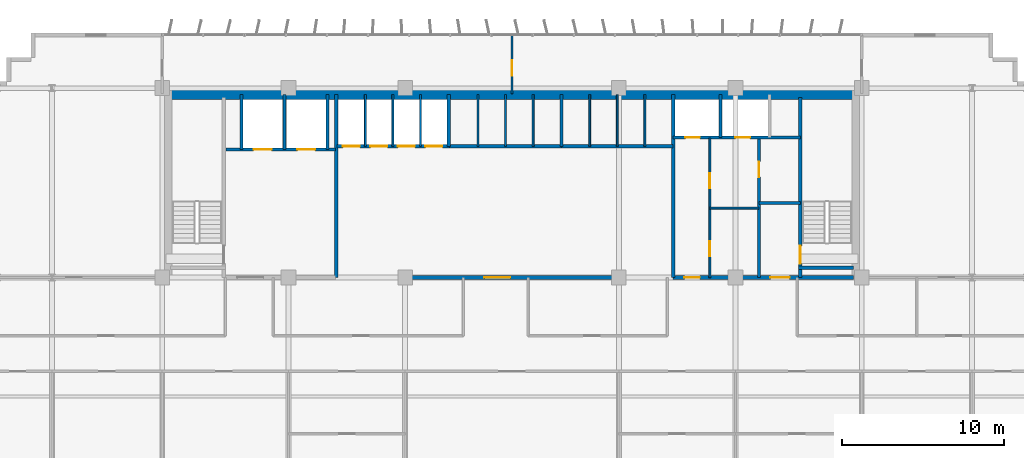
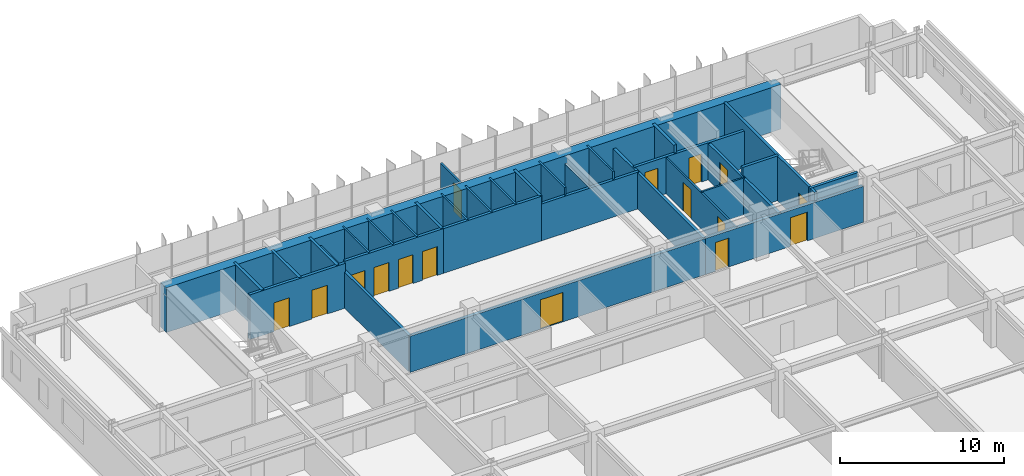
# One storey, part 17 of 21: 32 walls, 16 doors, 16 openings.
"""IFC4 building model written with IfcOpenShell, lengths in metres."""

from ifc_helpers import new_model, si_unit, direction, frame, frame_2d, origin, place, context, subcontext, project, spatial, rectangle, extrude, source, transform, mapped, material, layer, layer_set, type_object, element, fill, save


model = new_model("IFC4")

# Units and contexts
model_context = context("Model", 3, precision=1e-05, world=origin(), true_north=direction((0.0, 1.0)))
body_context = subcontext(model_context, "Body", "Model", "MODEL_VIEW")
ifc_project = project(units=[si_unit("LENGTHUNIT", "METRE"), si_unit("AREAUNIT", "SQUARE_METRE"), si_unit("VOLUMEUNIT", "CUBIC_METRE"), si_unit("PLANEANGLEUNIT", "RADIAN"), si_unit("MASSUNIT", "GRAM", prefix="KILO")], contexts=[model_context])

# Site, building, storey
site_placement = place(None, origin())
site = spatial("IfcSite", under=ifc_project, at=site_placement, CompositionType="ELEMENT")
building_placement = place(site_placement, origin())
building = spatial("IfcBuilding", under=site, at=building_placement, Name="Trelvane Seafront Commons", CompositionType="ELEMENT")
storey_placement = place(building_placement, frame((0.0, 0.0, 41.5)))
storey = spatial("IfcBuildingStorey", under=building, at=storey_placement, Name="L10", CompositionType="ELEMENT", Elevation=41.5)

# Wall, opening, door
ifc_material_1 = material(Name="Concrete C40/50", Category="concrete")
ifc_layer_1 = layer(ifc_material_1, 0.199951171875, Name="ARCH-WALL-FIRE200")
ifc_layer_set_1 = layer_set([ifc_layer_1], Name="Concrete C40/50")
wall_type_1 = type_object("IfcWallType", Name="ARCH-WALL-FIRE200", PredefinedType="PARTITIONING", material=ifc_layer_set_1)
wall_1_placement = place(storey_placement, frame((52.449951171875, 33.39990234375, 0.0), z_axis=(0.0, 0.0, 1.0), x_axis=(0.0, 1.0, 0.0)))
wall_1 = element("IfcWall", 1, at=wall_1_placement, inside=storey, type_object=wall_type_1, Name="W-L10-ST2V-W-033", PredefinedType="PARTITIONING", context=body_context, shape_type="SweptSolid", body=[
    extrude(rectangle(XDim=8.650146484375, YDim=0.199951171875, at=frame_2d((4.3251953125, 0.0))), origin(), (0.0, 0.0, 1.0), 2.68994140625),
])
opening_1_placement = place(wall_1_placement, frame((6.199951171875, 0.0, 0.0)))
opening_1 = element("IfcOpeningElement", 2, at=opening_1_placement, cuts=wall_1, Name="Opening FD-L10-13", PredefinedType="OPENING", context=body_context, shape_type="SweptSolid", body=[
    extrude(rectangle(XDim=0.949951171875, YDim=2.14990234375, at=frame_2d((0.47509765625, 1.074951171875))), frame((0.0, 0.10986328125, 0.0), z_axis=(0.0, -1.0, 0.0), x_axis=(1.0, 0.0, 0.0)), (0.0, 0.0, 1.0), 0.219970703125),
])
ifc_material_2 = material(Name="Powder-coated aluminium frame", Category="aluminium")
door_type_1 = type_object("IfcDoorType", Name="ARCH-DR-FD60-950", OperationType="NOTDEFINED", PredefinedType="DOOR", material=ifc_material_2)
shared_shape_1 = source(origin(), body_context, "Body", "SweptSolid", [
    extrude(rectangle(XDim=0.949951171875, YDim=2.14990234375, at=frame_2d((0.47509765625, 1.074951171875))), frame((0.0, 0.02490234375, 0.0), z_axis=(0.0, -1.0, 0.0), x_axis=(1.0, 0.0, 0.0)), (0.0, 0.0, 1.0), 0.050048828125),
])
door_1_placement = place(opening_1_placement, origin())
door_1 = element("IfcDoor", 3, at=door_1_placement, inside=storey, type_object=door_type_1, Name="L10 Cleaner Store Door", OperationType="SINGLE_SWING_LEFT", OverallHeight=2.14990234375, OverallWidth=0.949951171875, PredefinedType="DOOR", context=body_context, shape_type="MappedRepresentation", body=[
    mapped(shared_shape_1, transform((0.0, 0.0, 0.0), x_axis=(1.0, 0.0, 0.0), y_axis=(0.0, 1.0, 0.0), z_axis=(0.0, 0.0, 1.0), scale=1.0)),
])
fill(opening_1, door_1)

# Wall
wall_2_placement = place(storey_placement, frame((52.449951171875, 38.0, 0.0), z_axis=(0.0, 0.0, 1.0), x_axis=(1.0, 0.0, 0.0)))
element("IfcWall", 4, at=wall_2_placement, inside=storey, type_object=wall_type_1, Name="W-L10-ST2V-N-034", PredefinedType="PARTITIONING", context=body_context, shape_type="SweptSolid", body=[
    extrude(rectangle(XDim=2.550048828125, YDim=0.199951171875, at=frame_2d((1.27490234375, 0.0))), origin(), (0.0, 0.0, 1.0), 3.340087890625),
])

# Wall, opening, door
ifc_layer_2 = layer(ifc_material_1, 0.25, Name="ARCH-WALL-FIRE250")
ifc_layer_set_2 = layer_set([ifc_layer_2], Name="Concrete C40/50")
wall_type_2 = type_object("IfcWallType", Name="ARCH-WALL-FIRE250", PredefinedType="PARTITIONING", material=ifc_layer_set_2)
wall_3_placement = place(storey_placement, frame((26.300048828125, 33.39990234375, 0.0), z_axis=(0.0, 0.0, 1.0), x_axis=(1.0, 0.0, 0.0)))
wall_3 = element("IfcWall", 5, at=wall_3_placement, inside=storey, type_object=wall_type_2, Name="W-L10-CS-PAX-029", PredefinedType="PARTITIONING", context=body_context, shape_type="SweptSolid", body=[
    extrude(rectangle(XDim=20.849853515625, YDim=0.25, at=frame_2d((10.4248046875, 0.0))), origin(), (0.0, 0.0, 1.0), 2.68994140625),
])
opening_2_placement = place(wall_3_placement, frame((9.199951171875, 0.0, 0.0)))
opening_2 = element("IfcOpeningElement", 6, at=opening_2_placement, cuts=wall_3, Name="Opening FD-L10-10", PredefinedType="OPENING", context=body_context, shape_type="SweptSolid", body=[
    extrude(rectangle(XDim=1.60009765625, YDim=2.199951171875, at=frame_2d((0.800048828125, 1.10009765625))), frame((0.0, 0.135009765625, 0.0), z_axis=(0.0, -1.0, 0.0), x_axis=(1.0, 0.0, 0.0)), (0.0, 0.0, 1.0), 0.27001953125),
])
door_type_2 = type_object("IfcDoorType", Name="ARCH-DR-FD60-1600", OperationType="DOUBLE_DOOR_SINGLE_SWING", PredefinedType="DOOR", material=ifc_material_2)
shared_shape_2 = source(origin(), body_context, "Body", "SweptSolid", [
    extrude(rectangle(XDim=1.60009765625, YDim=2.199951171875, at=frame_2d((0.800048828125, 1.10009765625))), frame((0.0, 0.02490234375, 0.0), z_axis=(0.0, -1.0, 0.0), x_axis=(1.0, 0.0, 0.0)), (0.0, 0.0, 1.0), 0.050048828125),
])
door_2_placement = place(opening_2_placement, origin())
door_2 = element("IfcDoor", 7, at=door_2_placement, inside=storey, type_object=door_type_2, Name="L10 Passenger Lift Lobby Double Door", OperationType="DOUBLE_DOOR_SINGLE_SWING", OverallHeight=2.199951171875, OverallWidth=1.60009765625, PredefinedType="DOOR", context=body_context, shape_type="MappedRepresentation", body=[
    mapped(shared_shape_2, transform((0.0, 0.0, 0.0), x_axis=(1.0, 0.0, 0.0), y_axis=(0.0, 1.0, 0.0), z_axis=(0.0, 0.0, 1.0), scale=1.0)),
])
fill(opening_2, door_2)

# Wall, openings, doors
wall_4_placement = place(storey_placement, frame((47.14990234375, 33.39990234375, 0.0), z_axis=(0.0, 0.0, 1.0), x_axis=(1.0, 0.0, 0.0)))
wall_4 = element("IfcWall", 8, at=wall_4_placement, inside=storey, type_object=wall_type_2, Name="W-L10-CS-EAST-037", PredefinedType="PARTITIONING", context=body_context, shape_type="SweptSolid", body=[
    extrude(rectangle(XDim=11.150146484375, YDim=0.25, at=frame_2d((5.5751953125, 0.0))), origin(), (0.0, 0.0, 1.0), 2.68994140625),
])
opening_3_placement = place(wall_4_placement, frame((0.699951171875, 0.0, 0.0)))
opening_3 = element("IfcOpeningElement", 9, at=opening_3_placement, cuts=wall_4, Name="Opening FD-L10-16", PredefinedType="OPENING", context=body_context, shape_type="SweptSolid", body=[
    extrude(rectangle(XDim=0.949951171875, YDim=2.14990234375, at=frame_2d((0.47509765625, 1.074951171875))), frame((0.0, 0.135009765625, 0.0), z_axis=(0.0, -1.0, 0.0), x_axis=(1.0, 0.0, 0.0)), (0.0, 0.0, 1.0), 0.27001953125),
])
opening_4_placement = place(wall_4_placement, frame((6.0, 0.0, 0.0)))
opening_4 = element("IfcOpeningElement", 10, at=opening_4_placement, cuts=wall_4, Name="Opening FD-L10-17", PredefinedType="OPENING", context=body_context, shape_type="SweptSolid", body=[
    extrude(rectangle(XDim=1.199951171875, YDim=2.14990234375, at=frame_2d((0.60009765625, 1.074951171875))), frame((0.0, 0.135009765625, 0.0), z_axis=(0.0, -1.0, 0.0), x_axis=(1.0, 0.0, 0.0)), (0.0, 0.0, 1.0), 0.27001953125),
])
door_3_placement = place(opening_3_placement, origin())
door_3 = element("IfcDoor", 11, at=door_3_placement, inside=storey, type_object=door_type_1, Name="L10 Core Service Lobby Door", OperationType="SINGLE_SWING_RIGHT", OverallHeight=2.14990234375, OverallWidth=0.949951171875, PredefinedType="DOOR", context=body_context, shape_type="MappedRepresentation", body=[
    mapped(shared_shape_1, transform((0.0, 0.0, 0.0), x_axis=(1.0, 0.0, 0.0), y_axis=(0.0, 1.0, 0.0), z_axis=(0.0, 0.0, 1.0), scale=1.0)),
])
fill(opening_3, door_3)
door_type_3 = type_object("IfcDoorType", Name="ARCH-DR-FD60-1200", OperationType="NOTDEFINED", PredefinedType="DOOR", material=ifc_material_2)
shared_shape_3 = source(origin(), body_context, "Body", "SweptSolid", [
    extrude(rectangle(XDim=1.199951171875, YDim=2.14990234375, at=frame_2d((0.60009765625, 1.074951171875))), frame((0.0, 0.02490234375, 0.0), z_axis=(0.0, -1.0, 0.0), x_axis=(1.0, 0.0, 0.0)), (0.0, 0.0, 1.0), 0.050048828125),
])
door_4_placement = place(opening_4_placement, origin())
door_4 = element("IfcDoor", 12, at=door_4_placement, inside=storey, type_object=door_type_3, Name="L10 East Stair Vestibule Fire Door", OperationType="SINGLE_SWING_LEFT", OverallHeight=2.14990234375, OverallWidth=1.199951171875, PredefinedType="DOOR", context=body_context, shape_type="MappedRepresentation", body=[
    mapped(shared_shape_3, transform((0.0, 0.0, 0.0), x_axis=(1.0, 0.0, 0.0), y_axis=(0.0, 1.0, 0.0), z_axis=(0.0, 0.0, 1.0), scale=1.0)),
])
fill(opening_4, door_4)

# Walls
ifc_material_3 = material(Name="Gypsum Drywall Acoustic Partition")
ifc_layer_3 = layer(ifc_material_3, 0.1201171875, Name="ARCH-WALL-PART120")
ifc_layer_set_3 = layer_set([ifc_layer_3], Name="Gypsum Drywall Acoustic Partition")
wall_type_3 = type_object("IfcWallType", Name="ARCH-WALL-PART120", PredefinedType="PARTITIONING", material=ifc_layer_set_3)
for number, where, z_axis, x_axis, name in (
    (13, (28.14990234375, 41.5, 0.0), (0.0, 0.0, 1.0), (0.0, 1.0, 0.0), "W-L10-PL-DIV1-016"),
    (14, (29.85009765625, 41.5, 0.0), (0.0, 0.0, 1.0), (0.0, 1.0, 0.0), "W-L10-PL-DIV2-017"),
    (15, (31.550048828125, 41.5, 0.0), (0.0, 0.0, 1.0), (0.0, 1.0, 0.0), "W-L10-PL-DIV3-018"),
    (16, (35.10009765625, 41.5, 0.0), (0.0, 0.0, 1.0), (0.0, 1.0, 0.0), "W-L10-PM-DIV1-020"),
    (17, (36.800048828125, 41.5, 0.0), (0.0, 0.0, 1.0), (0.0, 1.0, 0.0), "W-L10-PM-DIV2-021"),
    (18, (38.5, 41.5, 0.0), (0.0, 0.0, 1.0), (0.0, 1.0, 0.0), "W-L10-PM-DIV3-022"),
    (19, (42.0, 41.5, 0.0), (0.0, 0.0, 1.0), (0.0, 1.0, 0.0), "W-L10-PH-DIV1-025"),
):
    element("IfcWall", number, at=place(storey_placement, frame(where, z_axis=z_axis, x_axis=x_axis)), inside=storey, type_object=wall_type_3, Name=name, PredefinedType="PARTITIONING", context=body_context, shape_type="SweptSolid", body=[
        extrude(rectangle(XDim=3.199951171875, YDim=0.1201171875, at=frame_2d((1.60009765625, 0.0))), origin(), (0.0, 0.0, 1.0), 3.340087890625),
    ])
wall_5_placement = place(storey_placement, frame((43.699951171875, 41.5, 0.0), z_axis=(0.0, 0.0, 1.0), x_axis=(0.0, 1.0, 0.0)))
element("IfcWall", 20, at=wall_5_placement, inside=storey, type_object=wall_type_3, Name="W-L10-PH-DIV2-026", PredefinedType="PARTITIONING", context=body_context, shape_type="SweptSolid", body=[
    extrude(rectangle(XDim=3.199951171875, YDim=0.1201171875, at=frame_2d((1.60009765625, 0.0))), origin(), (0.0, 0.0, 1.0), 2.751953125),
])
wall_6_placement = place(storey_placement, frame((45.39990234375, 41.5, 0.0), z_axis=(0.0, 0.0, 1.0), x_axis=(0.0, 1.0, 0.0)))
element("IfcWall", 21, at=wall_6_placement, inside=storey, type_object=wall_type_3, Name="W-L10-PH-DIV3-027", PredefinedType="PARTITIONING", context=body_context, shape_type="SweptSolid", body=[
    extrude(rectangle(XDim=3.199951171875, YDim=0.1201171875, at=frame_2d((1.60009765625, 0.0))), origin(), (0.0, 0.0, 1.0), 3.340087890625),
])

# Wall, openings, doors
wall_7_placement = place(storey_placement, frame((49.419921875, 33.39990234375, 0.0), z_axis=(0.0, 0.0, 1.0), x_axis=(0.0, 1.0, 0.0)))
wall_7 = element("IfcWall", 22, at=wall_7_placement, inside=storey, type_object=wall_type_3, Name="W-L10-CYC0-V-035", PredefinedType="PARTITIONING", context=body_context, shape_type="SweptSolid", body=[
    extrude(rectangle(XDim=8.60009765625, YDim=0.1201171875, at=frame_2d((4.300048828125, 0.0))), origin(), (0.0, 0.0, 1.0), 2.68994140625),
])
opening_5_placement = place(wall_7_placement, frame((1.300048828125, 0.0, 0.0)))
opening_5 = element("IfcOpeningElement", 23, at=opening_5_placement, cuts=wall_7, Name="Opening D-L10-14", PredefinedType="OPENING", context=body_context, shape_type="SweptSolid", body=[
    extrude(rectangle(XDim=0.949951171875, YDim=2.14990234375, at=frame_2d((0.47509765625, 1.074951171875))), frame((0.0, 0.070068359375, 0.0), z_axis=(0.0, -1.0, 0.0), x_axis=(1.0, 0.0, 0.0)), (0.0, 0.0, 1.0), 0.14013671875),
])
opening_6_placement = place(wall_7_placement, frame((5.5, 0.0, 0.0)))
opening_6 = element("IfcOpeningElement", 24, at=opening_6_placement, cuts=wall_7, Name="Opening D-L10-15", PredefinedType="OPENING", context=body_context, shape_type="SweptSolid", body=[
    extrude(rectangle(XDim=0.949951171875, YDim=2.14990234375, at=frame_2d((0.47509765625, 1.074951171875))), frame((0.0, 0.070068359375, 0.0), z_axis=(0.0, -1.0, 0.0), x_axis=(1.0, 0.0, 0.0)), (0.0, 0.0, 1.0), 0.14013671875),
])
ifc_material_4 = material(Name="Acoustic timber door leaf", Category="wood")
door_type_4 = type_object("IfcDoorType", Name="ARCH-DR-INT950", OperationType="NOTDEFINED", PredefinedType="DOOR", material=ifc_material_4)
door_5_placement = place(opening_5_placement, origin())
door_5 = element("IfcDoor", 25, at=door_5_placement, inside=storey, type_object=door_type_4, Name="L10 Accessible WC Door", OperationType="SINGLE_SWING_RIGHT", OverallHeight=2.14990234375, OverallWidth=0.949951171875, PredefinedType="DOOR", context=body_context, shape_type="MappedRepresentation", body=[
    mapped(shared_shape_1, transform((0.0, 0.0, 0.0), x_axis=(1.0, 0.0, 0.0), y_axis=(0.0, 1.0, 0.0), z_axis=(0.0, 0.0, 1.0), scale=1.0)),
])
fill(opening_5, door_5)
door_6_placement = place(opening_6_placement, origin())
door_6 = element("IfcDoor", 26, at=door_6_placement, inside=storey, type_object=door_type_4, Name="L10 Common WC Door", OperationType="SINGLE_SWING_LEFT", OverallHeight=2.14990234375, OverallWidth=0.949951171875, PredefinedType="DOOR", context=body_context, shape_type="MappedRepresentation", body=[
    mapped(shared_shape_1, transform((0.0, 0.0, 0.0), x_axis=(1.0, 0.0, 0.0), y_axis=(0.0, 1.0, 0.0), z_axis=(0.0, 0.0, 1.0), scale=1.0)),
])
fill(opening_6, door_6)

# Wall
wall_8_placement = place(storey_placement, frame((49.419921875, 37.679931640625, 0.0), z_axis=(0.0, 0.0, 1.0), x_axis=(1.0, 0.0, 0.0)))
element("IfcWall", 27, at=wall_8_placement, inside=storey, type_object=wall_type_3, Name="W-L10-CYC0-H-036", PredefinedType="PARTITIONING", context=body_context, shape_type="SweptSolid", body=[
    extrude(rectangle(XDim=3.030029296875, YDim=0.1201171875, at=frame_2d((1.51513671875, 0.0))), origin(), (0.0, 0.0, 1.0), 2.751953125),
])

# Wall, opening, door
wall_9_placement = place(storey_placement, frame((37.199951171875, 44.75, 0.0), z_axis=(0.0, 0.0, 1.0), x_axis=(0.0, 1.0, 0.0)))
wall_9 = element("IfcWall", 28, at=wall_9_placement, inside=storey, type_object=wall_type_3, Name="W-L10-N-MID-DV-051", PredefinedType="PARTITIONING", context=body_context, shape_type="SweptSolid", body=[
    extrude(rectangle(XDim=3.610107421875, YDim=0.1201171875, at=frame_2d((1.80517578125, 0.0))), origin(), (0.0, 0.0, 1.0), 2.68994140625),
])
opening_7_placement = place(wall_9_placement, frame((1.10009765625, 0.0, 0.0)))
opening_7 = element("IfcOpeningElement", 29, at=opening_7_placement, cuts=wall_9, Name="Opening D-L10-25", PredefinedType="OPENING", context=body_context, shape_type="SweptSolid", body=[
    extrude(rectangle(XDim=0.949951171875, YDim=2.14990234375, at=frame_2d((0.47509765625, 1.074951171875))), frame((0.0, 0.070068359375, 0.0), z_axis=(0.0, -1.0, 0.0), x_axis=(1.0, 0.0, 0.0)), (0.0, 0.0, 1.0), 0.14013671875),
])
door_7_placement = place(opening_7_placement, origin())
door_7 = element("IfcDoor", 30, at=door_7_placement, inside=storey, type_object=door_type_4, Name="L10 Door 25", OperationType="SINGLE_SWING_LEFT", OverallHeight=2.14990234375, OverallWidth=0.949951171875, PredefinedType="DOOR", context=body_context, shape_type="MappedRepresentation", body=[
    mapped(shared_shape_1, transform((0.0, 0.0, 0.0), x_axis=(1.0, 0.0, 0.0), y_axis=(0.0, 1.0, 0.0), z_axis=(0.0, 0.0, 1.0), scale=1.0)),
])
fill(opening_7, door_7)

# Wall, openings, doors
ifc_layer_4 = layer(ifc_material_1, 0.199951171875, Name="ARCH-WALL-SHAFT200")
ifc_layer_set_4 = layer_set([ifc_layer_4], Name="Concrete C40/50")
wall_type_4 = type_object("IfcWallType", Name="ARCH-WALL-SHAFT200", PredefinedType="SOLIDWALL", material=ifc_layer_set_4)
wall_10_placement = place(storey_placement, frame((19.550048828125, 41.300048828125, 0.0), z_axis=(0.0, 0.0, 1.0), x_axis=(1.0, 0.0, 0.0)))
wall_10 = element("IfcWall", 31, at=wall_10_placement, inside=storey, type_object=wall_type_4, Name="W-L10-FFL-FRONT-008", PredefinedType="SOLIDWALL", context=body_context, shape_type="SweptSolid", body=[
    extrude(rectangle(XDim=6.75, YDim=0.199951171875, at=frame_2d((3.375, 0.0))), origin(), (0.0, 0.0, 1.0), 3.340087890625),
])
opening_8_placement = place(wall_10_placement, frame((1.699951171875, 0.0, 0.0)))
opening_8 = element("IfcOpeningElement", 32, at=opening_8_placement, cuts=wall_10, Name="Opening LD-FF1-L10", PredefinedType="OPENING", context=body_context, shape_type="SweptSolid", body=[
    extrude(rectangle(XDim=1.10009765625, YDim=2.14990234375, at=frame_2d((0.550048828125, 1.074951171875))), frame((0.0, 0.10986328125, 0.0), z_axis=(0.0, -1.0, 0.0), x_axis=(1.0, 0.0, 0.0)), (0.0, 0.0, 1.0), 0.219970703125),
])
opening_9_placement = place(wall_10_placement, frame((4.39990234375, 0.0, 0.0)))
opening_9 = element("IfcOpeningElement", 33, at=opening_9_placement, cuts=wall_10, Name="Opening LD-FF2-L10", PredefinedType="OPENING", context=body_context, shape_type="SweptSolid", body=[
    extrude(rectangle(XDim=1.10009765625, YDim=2.14990234375, at=frame_2d((0.550048828125, 1.074951171875))), frame((0.0, 0.10986328125, 0.0), z_axis=(0.0, -1.0, 0.0), x_axis=(1.0, 0.0, 0.0)), (0.0, 0.0, 1.0), 0.219970703125),
])
ifc_material_5 = material(Name="Stainless steel balustrade", Category="steel")
door_type_5 = type_object("IfcDoorType", Name="ARCH-DR-LD1100", OperationType="DOUBLE_DOOR_SLIDING", PredefinedType="DOOR", material=ifc_material_5)
shared_shape_4 = source(origin(), body_context, "Body", "SweptSolid", [
    extrude(rectangle(XDim=1.10009765625, YDim=2.14990234375, at=frame_2d((0.550048828125, 1.074951171875))), frame((0.0, 0.02490234375, 0.0), z_axis=(0.0, -1.0, 0.0), x_axis=(1.0, 0.0, 0.0)), (0.0, 0.0, 1.0), 0.050048828125),
])
door_8_placement = place(opening_8_placement, origin())
door_8 = element("IfcDoor", 34, at=door_8_placement, inside=storey, type_object=door_type_5, Name="L10 Firefighting Lift FFL-1 Landing Door", OperationType="DOUBLE_DOOR_SLIDING", OverallHeight=2.14990234375, OverallWidth=1.10009765625, PredefinedType="DOOR", context=body_context, shape_type="MappedRepresentation", body=[
    mapped(shared_shape_4, transform((0.0, 0.0, 0.0), x_axis=(1.0, 0.0, 0.0), y_axis=(0.0, 1.0, 0.0), z_axis=(0.0, 0.0, 1.0), scale=1.0)),
])
fill(opening_8, door_8)
door_9_placement = place(opening_9_placement, origin())
door_9 = element("IfcDoor", 35, at=door_9_placement, inside=storey, type_object=door_type_5, Name="L10 Firefighting Lift FFL-2 Landing Door", OperationType="DOUBLE_DOOR_SLIDING", OverallHeight=2.14990234375, OverallWidth=1.10009765625, PredefinedType="DOOR", context=body_context, shape_type="MappedRepresentation", body=[
    mapped(shared_shape_4, transform((0.0, 0.0, 0.0), x_axis=(1.0, 0.0, 0.0), y_axis=(0.0, 1.0, 0.0), z_axis=(0.0, 0.0, 1.0), scale=1.0)),
])
fill(opening_9, door_9)

# Walls
for number, where, z_axis, x_axis, name in (
    (36, (20.5, 41.300048828125, 0.0), (0.0, 0.0, 1.0), (0.0, 1.0, 0.0), "W-L10-FFL-SH-W-009"),
    (37, (23.14990234375, 41.300048828125, 0.0), (0.0, 0.0, 1.0), (0.0, 1.0, 0.0), "W-L10-FFL-DIV-010"),
    (38, (25.800048828125, 41.300048828125, 0.0), (0.0, 0.0, 1.0), (0.0, 1.0, 0.0), "W-L10-FFL-SH-E-011"),
):
    element("IfcWall", number, at=place(storey_placement, frame(where, z_axis=z_axis, x_axis=x_axis)), inside=storey, type_object=wall_type_4, Name=name, PredefinedType="SOLIDWALL", context=body_context, shape_type="SweptSolid", body=[
        extrude(rectangle(XDim=3.39990234375, YDim=0.199951171875, at=frame_2d((1.699951171875, 0.0))), origin(), (0.0, 0.0, 1.0), 3.340087890625),
    ])
wall_11_placement = place(storey_placement, frame((26.35009765625, 33.39990234375, 0.0), z_axis=(0.0, 0.0, 1.0), x_axis=(0.0, 1.0, 0.0)))
element("IfcWall", 39, at=wall_11_placement, inside=storey, type_object=wall_type_4, Name="W-L10-FFL-EAST-012", PredefinedType="SOLIDWALL", context=body_context, shape_type="SweptSolid", body=[
    extrude(rectangle(XDim=11.300048828125, YDim=0.199951171875, at=frame_2d((5.64990234375, 0.0))), origin(), (0.0, 0.0, 1.0), 2.68994140625),
])

# Wall, openings, doors
wall_12_placement = place(storey_placement, frame((26.39990234375, 41.5, 0.0), z_axis=(0.0, 0.0, 1.0), x_axis=(1.0, 0.0, 0.0)))
wall_12 = element("IfcWall", 40, at=wall_12_placement, inside=storey, type_object=wall_type_4, Name="W-L10-PL-FRONT-014", PredefinedType="SOLIDWALL", context=body_context, shape_type="SweptSolid", body=[
    extrude(rectangle(XDim=6.9501953125, YDim=0.199951171875, at=frame_2d((3.47509765625, 0.0))), origin(), (0.0, 0.0, 1.0), 3.340087890625),
])
opening_10_placement = place(wall_12_placement, frame((0.35009765625, 0.0, 0.0)))
opening_10 = element("IfcOpeningElement", 41, at=opening_10_placement, cuts=wall_12, Name="Opening LD-PL1-L10", PredefinedType="OPENING", context=body_context, shape_type="SweptSolid", body=[
    extrude(rectangle(XDim=1.050048828125, YDim=2.14990234375, at=frame_2d((0.52490234375, 1.074951171875))), frame((0.0, 0.10986328125, 0.0), z_axis=(0.0, -1.0, 0.0), x_axis=(1.0, 0.0, 0.0)), (0.0, 0.0, 1.0), 0.219970703125),
])
opening_11_placement = place(wall_12_placement, frame((2.050048828125, 0.0, 0.0)))
opening_11 = element("IfcOpeningElement", 42, at=opening_11_placement, cuts=wall_12, Name="Opening LD-PL2-L10", PredefinedType="OPENING", context=body_context, shape_type="SweptSolid", body=[
    extrude(rectangle(XDim=1.050048828125, YDim=2.14990234375, at=frame_2d((0.52490234375, 1.074951171875))), frame((0.0, 0.10986328125, 0.0), z_axis=(0.0, -1.0, 0.0), x_axis=(1.0, 0.0, 0.0)), (0.0, 0.0, 1.0), 0.219970703125),
])
opening_12_placement = place(wall_12_placement, frame((3.75, 0.0, 0.0)))
opening_12 = element("IfcOpeningElement", 43, at=opening_12_placement, cuts=wall_12, Name="Opening LD-PL3-L10", PredefinedType="OPENING", context=body_context, shape_type="SweptSolid", body=[
    extrude(rectangle(XDim=1.050048828125, YDim=2.14990234375, at=frame_2d((0.52490234375, 1.074951171875))), frame((0.0, 0.10986328125, 0.0), z_axis=(0.0, -1.0, 0.0), x_axis=(1.0, 0.0, 0.0)), (0.0, 0.0, 1.0), 0.219970703125),
])
opening_13_placement = place(wall_12_placement, frame((5.449951171875, 0.0, 0.0)))
opening_13 = element("IfcOpeningElement", 44, at=opening_13_placement, cuts=wall_12, Name="Opening LD-PL4-L10", PredefinedType="OPENING", context=body_context, shape_type="SweptSolid", body=[
    extrude(rectangle(XDim=1.050048828125, YDim=2.14990234375, at=frame_2d((0.52490234375, 1.074951171875))), frame((0.0, 0.10986328125, 0.0), z_axis=(0.0, -1.0, 0.0), x_axis=(1.0, 0.0, 0.0)), (0.0, 0.0, 1.0), 0.219970703125),
])
door_type_6 = type_object("IfcDoorType", Name="ARCH-DR-LD1050", OperationType="DOUBLE_DOOR_SLIDING", PredefinedType="DOOR", material=ifc_material_5)
shared_shape_5 = source(origin(), body_context, "Body", "SweptSolid", [
    extrude(rectangle(XDim=1.050048828125, YDim=2.14990234375, at=frame_2d((0.52490234375, 1.074951171875))), frame((0.0, 0.02490234375, 0.0), z_axis=(0.0, -1.0, 0.0), x_axis=(1.0, 0.0, 0.0)), (0.0, 0.0, 1.0), 0.050048828125),
])
door_10_placement = place(opening_10_placement, origin())
door_10 = element("IfcDoor", 45, at=door_10_placement, inside=storey, type_object=door_type_6, Name="L10 Passenger Lift PL-1 Landing Door", OperationType="DOUBLE_DOOR_SLIDING", OverallHeight=2.14990234375, OverallWidth=1.050048828125, PredefinedType="DOOR", context=body_context, shape_type="MappedRepresentation", body=[
    mapped(shared_shape_5, transform((0.0, 0.0, 0.0), x_axis=(1.0, 0.0, 0.0), y_axis=(0.0, 1.0, 0.0), z_axis=(0.0, 0.0, 1.0), scale=1.0)),
])
fill(opening_10, door_10)
door_11_placement = place(opening_11_placement, origin())
door_11 = element("IfcDoor", 46, at=door_11_placement, inside=storey, type_object=door_type_6, Name="L10 Passenger Lift PL-2 Landing Door", OperationType="DOUBLE_DOOR_SLIDING", OverallHeight=2.14990234375, OverallWidth=1.050048828125, PredefinedType="DOOR", context=body_context, shape_type="MappedRepresentation", body=[
    mapped(shared_shape_5, transform((0.0, 0.0, 0.0), x_axis=(1.0, 0.0, 0.0), y_axis=(0.0, 1.0, 0.0), z_axis=(0.0, 0.0, 1.0), scale=1.0)),
])
fill(opening_11, door_11)
door_12_placement = place(opening_12_placement, origin())
door_12 = element("IfcDoor", 47, at=door_12_placement, inside=storey, type_object=door_type_6, Name="L10 Passenger Lift PL-3 Landing Door", OperationType="DOUBLE_DOOR_SLIDING", OverallHeight=2.14990234375, OverallWidth=1.050048828125, PredefinedType="DOOR", context=body_context, shape_type="MappedRepresentation", body=[
    mapped(shared_shape_5, transform((0.0, 0.0, 0.0), x_axis=(1.0, 0.0, 0.0), y_axis=(0.0, 1.0, 0.0), z_axis=(0.0, 0.0, 1.0), scale=1.0)),
])
fill(opening_12, door_12)
door_13_placement = place(opening_13_placement, origin())
door_13 = element("IfcDoor", 48, at=door_13_placement, inside=storey, type_object=door_type_6, Name="L10 Passenger Lift PL-4 Landing Door", OperationType="DOUBLE_DOOR_SLIDING", OverallHeight=2.14990234375, OverallWidth=1.050048828125, PredefinedType="DOOR", context=body_context, shape_type="MappedRepresentation", body=[
    mapped(shared_shape_5, transform((0.0, 0.0, 0.0), x_axis=(1.0, 0.0, 0.0), y_axis=(0.0, 1.0, 0.0), z_axis=(0.0, 0.0, 1.0), scale=1.0)),
])
fill(opening_13, door_13)

# Walls
wall_13_placement = place(storey_placement, frame((33.300048828125, 41.5, 0.0), z_axis=(0.0, 0.0, 1.0), x_axis=(0.0, 1.0, 0.0)))
element("IfcWall", 49, at=wall_13_placement, inside=storey, type_object=wall_type_4, Name="W-L10-PL-EAST-SH-015", PredefinedType="SOLIDWALL", context=body_context, shape_type="SweptSolid", body=[
    extrude(rectangle(XDim=3.199951171875, YDim=0.199951171875, at=frame_2d((1.60009765625, 0.0))), origin(), (0.0, 0.0, 1.0), 3.340087890625),
])
wall_14_placement = place(storey_placement, frame((33.35009765625, 41.5, 0.0), z_axis=(0.0, 0.0, 1.0), x_axis=(1.0, 0.0, 0.0)))
element("IfcWall", 50, at=wall_14_placement, inside=storey, type_object=wall_type_4, Name="W-L10-PM-FRONT-019", PredefinedType="SOLIDWALL", context=body_context, shape_type="SweptSolid", body=[
    extrude(rectangle(XDim=6.89990234375, YDim=0.199951171875, at=frame_2d((3.449951171875, 0.0))), origin(), (0.0, 0.0, 1.0), 3.340087890625),
])
wall_15_placement = place(storey_placement, frame((40.25, 41.5, 0.0), z_axis=(0.0, 0.0, 1.0), x_axis=(1.0, 0.0, 0.0)))
element("IfcWall", 51, at=wall_15_placement, inside=storey, type_object=wall_type_4, Name="W-L10-PH-FRONT-023", PredefinedType="SOLIDWALL", context=body_context, shape_type="SweptSolid", body=[
    extrude(rectangle(XDim=6.89990234375, YDim=0.199951171875, at=frame_2d((3.449951171875, 0.0))), origin(), (0.0, 0.0, 1.0), 2.751953125),
])
wall_16_placement = place(storey_placement, frame((40.25, 41.5, 0.0), z_axis=(0.0, 0.0, 1.0), x_axis=(0.0, 1.0, 0.0)))
element("IfcWall", 52, at=wall_16_placement, inside=storey, type_object=wall_type_4, Name="W-L10-PH-WEST-SH-024", PredefinedType="SOLIDWALL", context=body_context, shape_type="SweptSolid", body=[
    extrude(rectangle(XDim=3.199951171875, YDim=0.199951171875, at=frame_2d((1.60009765625, 0.0))), origin(), (0.0, 0.0, 1.0), 3.340087890625),
])
wall_17_placement = place(storey_placement, frame((47.14990234375, 33.39990234375, 0.0), z_axis=(0.0, 0.0, 1.0), x_axis=(0.0, 1.0, 0.0)))
element("IfcWall", 53, at=wall_17_placement, inside=storey, type_object=wall_type_4, Name="W-L10-PH-EAST-028", PredefinedType="SOLIDWALL", context=body_context, shape_type="SweptSolid", body=[
    extrude(rectangle(XDim=11.300048828125, YDim=0.199951171875, at=frame_2d((5.64990234375, 0.0))), origin(), (0.0, 0.0, 1.0), 2.68994140625),
])

# Wall, openings, doors
wall_18_placement = place(storey_placement, frame((47.14990234375, 42.050048828125, 0.0), z_axis=(0.0, 0.0, 1.0), x_axis=(1.0, 0.0, 0.0)))
wall_18 = element("IfcWall", 54, at=wall_18_placement, inside=storey, type_object=wall_type_4, Name="W-L10-RSR-S-030", PredefinedType="SOLIDWALL", context=body_context, shape_type="SweptSolid", body=[
    extrude(rectangle(XDim=7.85009765625, YDim=0.199951171875, at=frame_2d((3.925048828125, 0.0))), origin(), (0.0, 0.0, 1.0), 2.751953125),
])
opening_14_placement = place(wall_18_placement, frame((0.75, 0.0, 0.0)))
opening_14 = element("IfcOpeningElement", 55, at=opening_14_placement, cuts=wall_18, Name="Opening FD-L10-11", PredefinedType="OPENING", context=body_context, shape_type="SweptSolid", body=[
    extrude(rectangle(XDim=0.89990234375, YDim=2.10009765625, at=frame_2d((0.449951171875, 1.050048828125))), frame((0.0, 0.10986328125, 0.0), z_axis=(0.0, -1.0, 0.0), x_axis=(1.0, 0.0, 0.0)), (0.0, 0.0, 1.0), 0.219970703125),
])
opening_15_placement = place(wall_18_placement, frame((3.85009765625, 0.0, 0.0)))
opening_15 = element("IfcOpeningElement", 56, at=opening_15_placement, cuts=wall_18, Name="Opening FD-L10-12", PredefinedType="OPENING", context=body_context, shape_type="SweptSolid", body=[
    extrude(rectangle(XDim=0.89990234375, YDim=2.10009765625, at=frame_2d((0.449951171875, 1.050048828125))), frame((0.0, 0.10986328125, 0.0), z_axis=(0.0, -1.0, 0.0), x_axis=(1.0, 0.0, 0.0)), (0.0, 0.0, 1.0), 0.219970703125),
])
door_type_7 = type_object("IfcDoorType", Name="ARCH-DR-FD60-900", OperationType="NOTDEFINED", PredefinedType="DOOR", material=ifc_material_2)
shared_shape_6 = source(origin(), body_context, "Body", "SweptSolid", [
    extrude(rectangle(XDim=0.89990234375, YDim=2.10009765625, at=frame_2d((0.449951171875, 1.050048828125))), frame((0.0, 0.02490234375, 0.0), z_axis=(0.0, -1.0, 0.0), x_axis=(1.0, 0.0, 0.0)), (0.0, 0.0, 1.0), 0.050048828125),
])
door_14_placement = place(opening_14_placement, origin())
door_14 = element("IfcDoor", 57, at=door_14_placement, inside=storey, type_object=door_type_7, Name="L10 Electrical Riser Access Door", OperationType="SINGLE_SWING_LEFT", OverallHeight=2.10009765625, OverallWidth=0.89990234375, PredefinedType="DOOR", context=body_context, shape_type="MappedRepresentation", body=[
    mapped(shared_shape_6, transform((0.0, 0.0, 0.0), x_axis=(1.0, 0.0, 0.0), y_axis=(0.0, 1.0, 0.0), z_axis=(0.0, 0.0, 1.0), scale=1.0)),
])
fill(opening_14, door_14)
door_15_placement = place(opening_15_placement, origin())
door_15 = element("IfcDoor", 58, at=door_15_placement, inside=storey, type_object=door_type_7, Name="L10 Mechanical Riser Access Door", OperationType="SINGLE_SWING_RIGHT", OverallHeight=2.10009765625, OverallWidth=0.89990234375, PredefinedType="DOOR", context=body_context, shape_type="MappedRepresentation", body=[
    mapped(shared_shape_6, transform((0.0, 0.0, 0.0), x_axis=(1.0, 0.0, 0.0), y_axis=(0.0, 1.0, 0.0), z_axis=(0.0, 0.0, 1.0), scale=1.0)),
])
fill(opening_15, door_15)

# Walls
wall_19_placement = place(storey_placement, frame((50.080078125, 42.050048828125, 0.0), z_axis=(0.0, 0.0, 1.0), x_axis=(0.0, 1.0, 0.0)))
element("IfcWall", 59, at=wall_19_placement, inside=storey, type_object=wall_type_4, Name="W-L10-RSR-DIV-031", PredefinedType="SOLIDWALL", context=body_context, shape_type="SweptSolid", body=[
    extrude(rectangle(XDim=2.64990234375, YDim=0.199951171875, at=frame_2d((1.324951171875, 0.0))), origin(), (0.0, 0.0, 1.0), 3.340087890625),
])
ifc_material_6 = material(Name="Concrete C60/75", Category="concrete")
ifc_layer_5 = layer(ifc_material_6, 0.699951171875, Name="STR-WALL-CORE700")
ifc_layer_set_5 = layer_set([ifc_layer_5], Name="Concrete C60/75")
wall_type_5 = type_object("IfcWallType", Name="STR-WALL-CORE700", PredefinedType="SHEAR", material=ifc_layer_set_5)
wall_20_placement = place(storey_placement, frame((15.5, 44.75, 0.0), z_axis=(0.0, 0.0, 1.0), x_axis=(1.0, 0.0, 0.0)))
element("IfcWall", 60, at=wall_20_placement, inside=storey, type_object=wall_type_5, Name="W-L10-CN-ALL-001", PredefinedType="SHEAR", context=body_context, shape_type="SweptSolid", body=[
    extrude(rectangle(XDim=43.39990234375, YDim=0.699951171875, at=frame_2d((21.699951171875, 0.0))), origin(), (0.0, 0.0, 1.0), 3.340087890625),
])
ifc_material_7 = material(Name="Concrete C50/60", Category="concrete")
ifc_layer_6 = layer(ifc_material_7, 0.199951171875, Name="STR-WALL-STAIR200")
ifc_layer_set_6 = layer_set([ifc_layer_6], Name="Concrete C50/60")
wall_type_6 = type_object("IfcWallType", Name="STR-WALL-STAIR200", PredefinedType="SHEAR", material=ifc_layer_set_6)
wall_21_placement = place(storey_placement, frame((54.89990234375, 34.0, 0.0), z_axis=(0.0, 0.0, 1.0), x_axis=(1.0, 0.0, 0.0)))
element("IfcWall", 61, at=wall_21_placement, inside=storey, type_object=wall_type_6, Name="W-L10-ST2-S-006", PredefinedType="SHEAR", context=body_context, shape_type="SweptSolid", body=[
    extrude(rectangle(XDim=3.400146484375, YDim=0.199951171875, at=frame_2d((1.7001953125, 0.0))), origin(), (0.0, 0.0, 1.0), 3.340087890625),
])

# Wall, opening, door
wall_22_placement = place(storey_placement, frame((55.0, 33.39990234375, 0.0), z_axis=(0.0, 0.0, 1.0), x_axis=(0.0, 1.0, 0.0)))
wall_22 = element("IfcWall", 62, at=wall_22_placement, inside=storey, type_object=wall_type_6, Name="W-L10-ST2-W-007", PredefinedType="SHEAR", context=body_context, shape_type="SweptSolid", body=[
    extrude(rectangle(XDim=11.10009765625, YDim=0.199951171875, at=frame_2d((5.550048828125, 0.0))), origin(), (0.0, 0.0, 1.0), 3.340087890625),
])
opening_16_placement = place(wall_22_placement, frame((0.85009765625, 0.0, 0.0)))
opening_16 = element("IfcOpeningElement", 63, at=opening_16_placement, cuts=wall_22, Name="Opening ST-D2-L10", PredefinedType="OPENING", context=body_context, shape_type="SweptSolid", body=[
    extrude(rectangle(XDim=1.10009765625, YDim=2.14990234375, at=frame_2d((0.550048828125, 1.074951171875))), frame((0.0, 0.10986328125, 0.0), z_axis=(0.0, -1.0, 0.0), x_axis=(1.0, 0.0, 0.0)), (0.0, 0.0, 1.0), 0.219970703125),
])
door_type_8 = type_object("IfcDoorType", Name="ARCH-DR-FD90-1100", OperationType="NOTDEFINED", PredefinedType="DOOR", material=ifc_material_2)
door_16_placement = place(opening_16_placement, origin())
door_16 = element("IfcDoor", 64, at=door_16_placement, inside=storey, type_object=door_type_8, Name="L10 Stair ST-2 Vestibule Fire Door", OperationType="SINGLE_SWING_RIGHT", OverallHeight=2.14990234375, OverallWidth=1.10009765625, PredefinedType="DOOR", context=body_context, shape_type="MappedRepresentation", body=[
    mapped(shared_shape_4, transform((0.0, 0.0, 0.0), x_axis=(1.0, 0.0, 0.0), y_axis=(0.0, 1.0, 0.0), z_axis=(0.0, 0.0, 1.0), scale=1.0)),
])
fill(opening_16, door_16)

save(model, "model.ifc")
